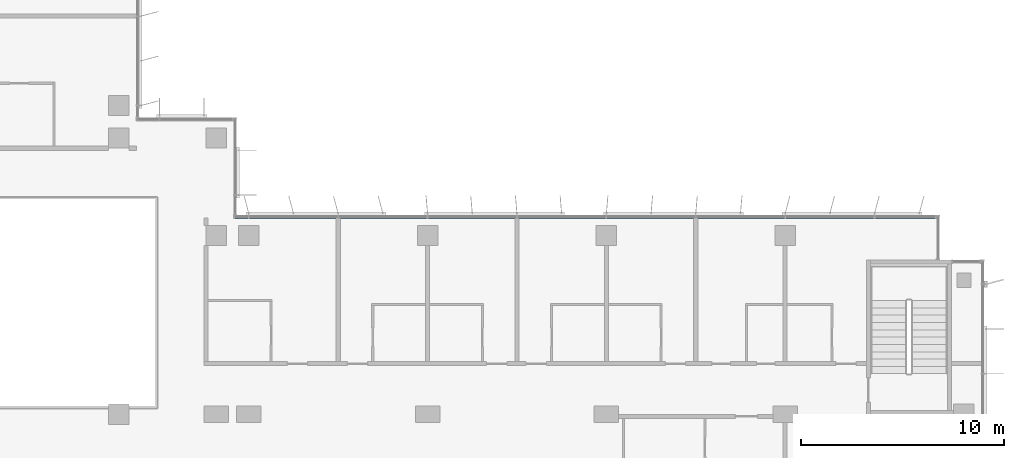
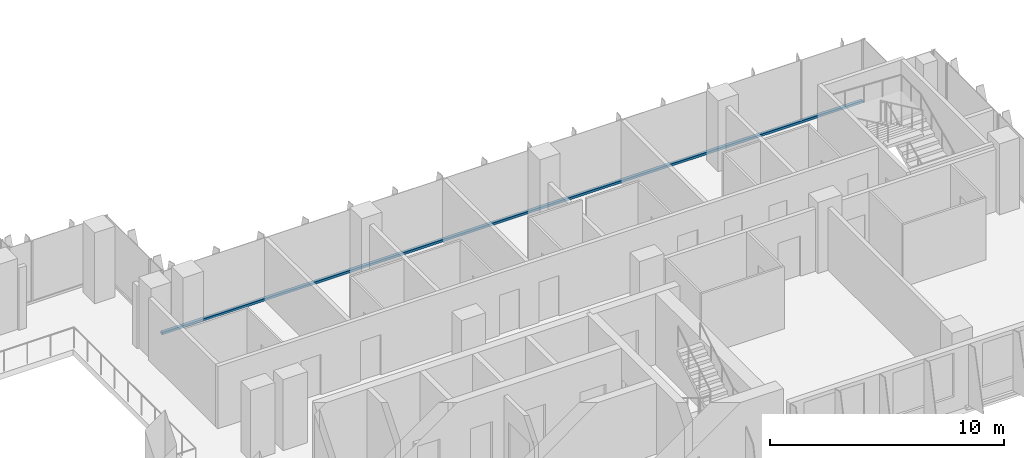
# One storey, part 3 of 21: 1 member, 1 element without a shape of its own.
"""IFC4 building model written with IfcOpenShell, lengths in metres."""

from ifc_helpers import new_model, si_unit, direction, frame, origin, origin_2d, place, context, subcontext, project, spatial, rectangle, extrude, material, material_profile, profile_set, type_object, element, aggregate, save


model = new_model("IFC4")

# Units and contexts
model_context = context("Model", 3, precision=1e-05, world=origin(), true_north=direction((0.0, 1.0)))
body_context = subcontext(model_context, "Body", "Model", "MODEL_VIEW")
ifc_project = project(units=[si_unit("LENGTHUNIT", "METRE"), si_unit("AREAUNIT", "SQUARE_METRE"), si_unit("VOLUMEUNIT", "CUBIC_METRE"), si_unit("PLANEANGLEUNIT", "RADIAN"), si_unit("MASSUNIT", "GRAM", prefix="KILO")], contexts=[model_context])

# Site, building, storey
site_placement = place(None, origin())
site = spatial("IfcSite", under=ifc_project, at=site_placement, CompositionType="ELEMENT")
building_placement = place(site_placement, origin())
building = spatial("IfcBuilding", under=site, at=building_placement, Name="Kemantara Hotel Tower", CompositionType="ELEMENT")
storey_placement = place(building_placement, frame((0.0, 0.0, 219.10009765625)))
storey = spatial("IfcBuildingStorey", under=building, at=storey_placement, Name="L54", CompositionType="ELEMENT", Elevation=219.10009765625)

# Curtain wall, member
ifc_material_1 = material(Name="Low-E tinted double insulated glass 36 mm", Category="glass")
curtain_wall_type = type_object("IfcCurtainWallType", Name="TOWER CURTAIN WALL, FRONT FACES", PredefinedType="USERDEFINED", material=ifc_material_1)
curtain_wall_placement = place(storey_placement, origin())
curtain_wall = element("IfcCurtainWall", 1, at=curtain_wall_placement, inside=storey, type_object=curtain_wall_type, Name="CW4 L54 T3-R14-1", ObjectType="TOWER CURTAIN WALL, FRONT FACES", PredefinedType="USERDEFINED")
ifc_material_2 = material(Name="Aluminium 6063-T6 bronze anodised", Category="aluminium")
ifc_material_profile = material_profile(ifc_material_2, rectangle(XDim=0.14990234375, YDim=0.1201171875, at=origin_2d()), Name="TOWER CURTAIN WALL, FRONT FACES TRANSOM")
ifc_profile_set = profile_set([ifc_material_profile], Name="Aluminium 6063-T6 bronze anodised")
member_type = type_object("IfcMemberType", Name="TOWER CURTAIN WALL, FRONT FACES TRANSOM", PredefinedType="USERDEFINED", material=ifc_profile_set)
member_placement = place(storey_placement, frame((61.25, 21.925048828125, 0.059814453125), z_axis=(-1.0, 0.0, 0.0), x_axis=(0.0, -1.0, 0.0)))
member = element("IfcMember", 2, at=member_placement, type_object=member_type, Name="CW4 sill transom T3-R14-1", ObjectType="TRANSOM", PredefinedType="USERDEFINED", context=body_context, shape_type="SweptSolid", body=[
    extrude(rectangle(XDim=0.14990234375, YDim=0.1201171875, at=origin_2d()), origin(), (0.0, 0.0, 1.0), 34.60009765625),
])
aggregate(curtain_wall, [member])

save(model, "model.ifc")
